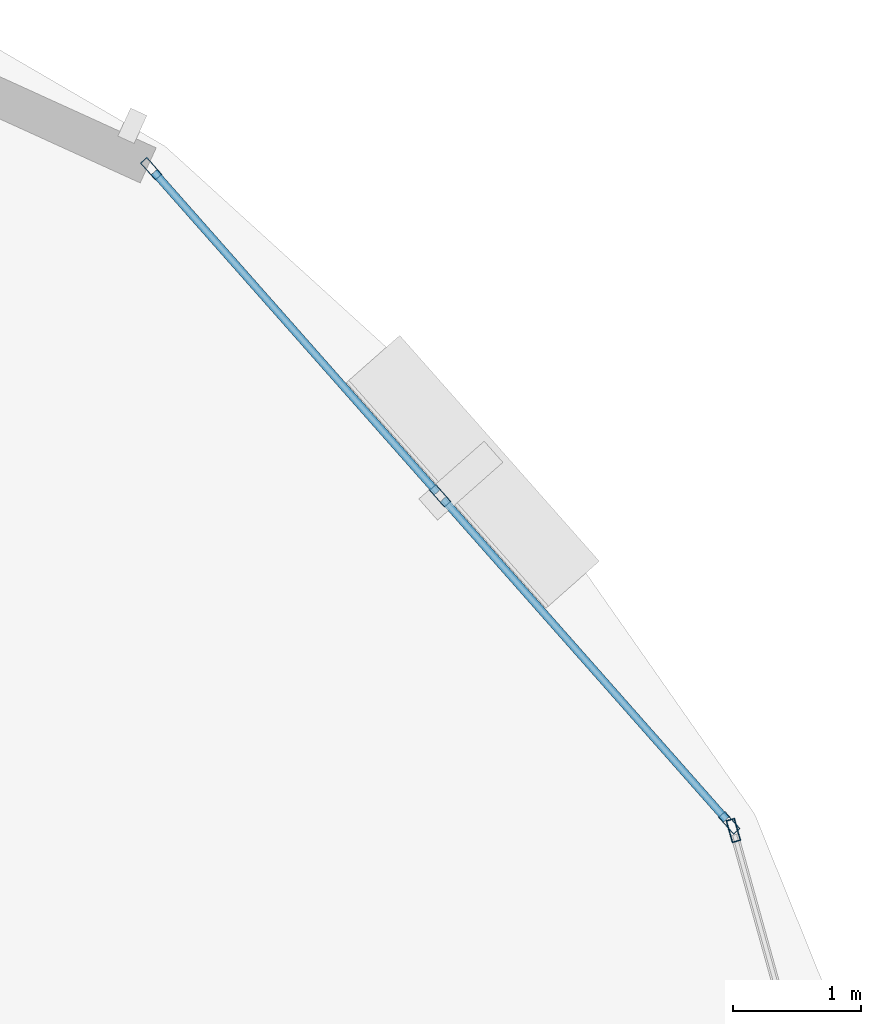
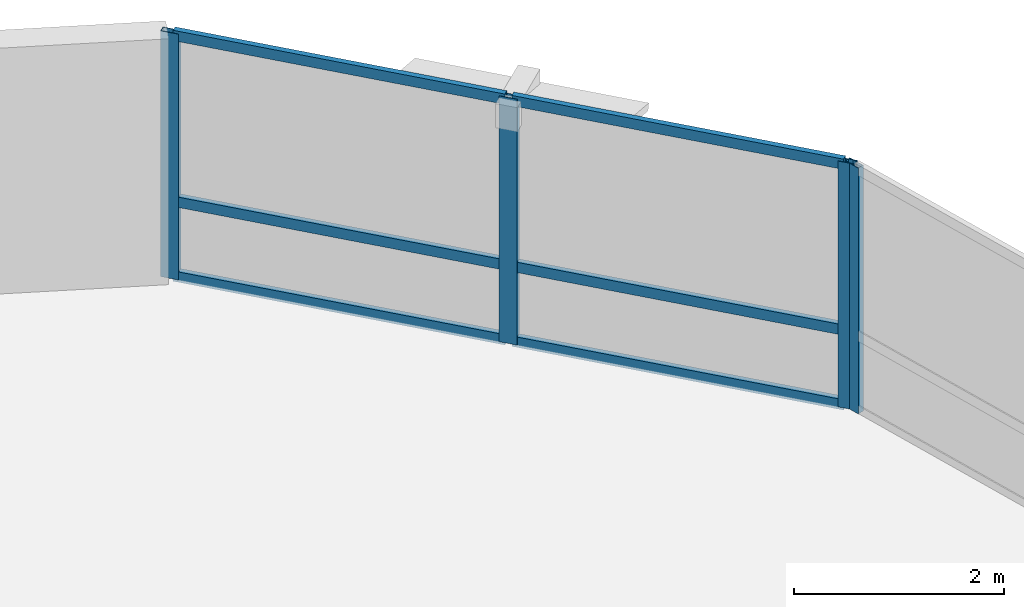
# One storey, part 6 of 12: 10 members, 2 elements without a shape of their own.
"""IFC4 building model written with IfcOpenShell, lengths in metres."""

from ifc_helpers import new_model, si_unit, direction, frame, origin, origin_2d, place, context, subcontext, project, spatial, hollow_rectangle, extrude, material, layer, layer_set, material_profile, profile_set, type_object, element, aggregate, save


model = new_model("IFC4")

# Units and contexts
model_context = context("Model", 3, precision=1e-05, world=origin(), true_north=direction((0.0, 1.0)))
body_context = subcontext(model_context, "Body", "Model", "MODEL_VIEW")
ifc_project = project(units=[si_unit("LENGTHUNIT", "METRE"), si_unit("AREAUNIT", "SQUARE_METRE"), si_unit("VOLUMEUNIT", "CUBIC_METRE"), si_unit("PLANEANGLEUNIT", "RADIAN"), si_unit("MASSUNIT", "GRAM", prefix="KILO"), si_unit("THERMODYNAMICTEMPERATUREUNIT", "KELVIN"), si_unit("POWERUNIT", "WATT")], contexts=[model_context])

# Site, building, storey
site_placement = place(None, origin())
site = spatial("IfcSite", under=ifc_project, at=site_placement, CompositionType="ELEMENT")
building_placement = place(site_placement, origin())
building = spatial("IfcBuilding", under=site, at=building_placement, Name="Ocrelia Relay Tower", CompositionType="ELEMENT")
storey_placement = place(building_placement, frame((0.0, 0.0, 153.800048828125)))
storey = spatial("IfcBuildingStorey", under=building, at=storey_placement, Name="L36", CompositionType="ELEMENT", Elevation=153.800048828125)

# Curtain wall, members
ifc_material_1 = material(Name="Aluminium and solar-control low-E glass", Category="aluminium")
ifc_layer = layer(ifc_material_1, 0.179931640625, Name="Aluminium and solar-control low-E glass")
ifc_layer_set = layer_set([ifc_layer], Name="Aluminium and solar-control low-E glass")
curtain_wall_type = type_object("IfcCurtainWallType", Name="CW-SYS-Z2-SWIT", PredefinedType="NOTDEFINED", material=ifc_layer_set)
curtain_wall_1_placement = place(storey_placement, origin())
curtain_wall_1 = element("IfcCurtainWall", 1, at=curtain_wall_1_placement, inside=storey, type_object=curtain_wall_type, Name="L36 Elliptical Tower Curtain Wall Bay 01", PredefinedType="NOTDEFINED")
ifc_material_2 = material(Name="Anodised bronze aluminium", Category="aluminium")
ifc_material_profile_1 = material_profile(ifc_material_2, hollow_rectangle(XDim=0.070068359375, YDim=0.179931640625, WallThickness=0.006103515625, at=origin_2d()), Name="CW-MUL-180x70")
ifc_profile_set_1 = profile_set([ifc_material_profile_1], Name="Anodised bronze aluminium")
member_type_1 = type_object("IfcMemberType", Name="CW-SYS-Z2-SWIT-MUL", PredefinedType="MULLION", material=ifc_profile_set_1)
member_1_placement = place(storey_placement, frame((56.474609375, 38.241455078125, 0.0), z_axis=(0.0, 0.0, 1.0), x_axis=(-0.74931029698, -0.662219056537, 0.0)))
member_1 = element("IfcMember", 2, at=member_1_placement, type_object=member_type_1, Name="CW-Z2 mullion 1", PredefinedType="MULLION", context=body_context, shape_type="SweptSolid", body=[
    extrude(hollow_rectangle(XDim=0.070068359375, YDim=0.179931640625, WallThickness=0.006103515625, at=origin_2d()), origin(), (0.0, 0.0, 1.0), 2.85986328125),
])
member_2_placement = place(storey_placement, frame((54.219970703125, 40.79248046875, 0.0), z_axis=(0.0, 0.0, 1.0), x_axis=(-0.74931029698, -0.662219056537, 0.0)))
member_2 = element("IfcMember", 3, at=member_2_placement, type_object=member_type_1, Name="CW-Z2 mullion 2", PredefinedType="MULLION", context=body_context, shape_type="SweptSolid", body=[
    extrude(hollow_rectangle(XDim=0.070068359375, YDim=0.179931640625, WallThickness=0.006103515625, at=origin_2d()), origin(), (0.0, 0.0, 1.0), 2.85986328125),
])
member_3_placement = place(storey_placement, frame((51.965576171875, 43.343505859375, 0.0), z_axis=(0.0, 0.0, 1.0), x_axis=(-0.74931029698, -0.662219056537, 0.0)))
member_3 = element("IfcMember", 4, at=member_3_placement, type_object=member_type_1, Name="CW-Z2 mullion 3", PredefinedType="MULLION", context=body_context, shape_type="SweptSolid", body=[
    extrude(hollow_rectangle(XDim=0.070068359375, YDim=0.179931640625, WallThickness=0.006103515625, at=origin_2d()), origin(), (0.0, 0.0, 1.0), 2.85986328125),
])

# Curtain wall, member
curtain_wall_2_placement = place(storey_placement, origin())
curtain_wall_2 = element("IfcCurtainWall", 5, at=curtain_wall_2_placement, inside=storey, type_object=curtain_wall_type, Name="L36 Elliptical Tower Curtain Wall Bay 18", PredefinedType="NOTDEFINED")
member_4_placement = place(storey_placement, frame((56.507080078125, 38.181640625, 0.0), z_axis=(0.0, 0.0, 1.0), x_axis=(-0.963487288488, -0.267754075452, 0.0)))
member_4 = element("IfcMember", 6, at=member_4_placement, type_object=member_type_1, Name="CW-Z2 mullion 3", PredefinedType="MULLION", context=body_context, shape_type="SweptSolid", body=[
    extrude(hollow_rectangle(XDim=0.070068359375, YDim=0.179931640625, WallThickness=0.006103515625, at=origin_2d()), origin(), (0.0, 0.0, 1.0), 2.85986328125),
])
aggregate(curtain_wall_2, [member_4])

# Member
ifc_material_profile_2 = material_profile(ifc_material_2, hollow_rectangle(XDim=0.06005859375, YDim=0.1201171875, WallThickness=0.0048828125, at=origin_2d()), Name="CW-TRN-120x60")
ifc_profile_set_2 = profile_set([ifc_material_profile_2], Name="Anodised bronze aluminium")
member_type_2 = type_object("IfcMemberType", Name="CW-SYS-Z2-SWIT-TRN", PredefinedType="USERDEFINED", material=ifc_profile_set_2)
member_5_placement = place(storey_placement, frame((56.451416015625, 38.267822265625, 0.030029296875), z_axis=(-0.662238905837, 0.749292754266, 0.0), x_axis=(-0.749292754266, -0.662238905837, 0.0)))
member_5 = element("IfcMember", 7, at=member_5_placement, type_object=member_type_2, Name="CW-Z2 transom 1.1", ObjectType="TRANSOM", PredefinedType="USERDEFINED", context=body_context, shape_type="SweptSolid", body=[
    extrude(hollow_rectangle(XDim=0.06005859375, YDim=0.1201171875, WallThickness=0.0048828125, at=origin_2d()), origin(), (0.0, 0.0, 1.0), 3.33447265625),
])

member_6_placement = place(storey_placement, frame((56.451416015625, 38.267822265625, 0.89990234375), z_axis=(-0.662238905837, 0.749292754266, 0.0), x_axis=(-0.749292754266, -0.662238905837, 0.0)))
member_6 = element("IfcMember", 8, at=member_6_placement, type_object=member_type_2, Name="CW-Z2 transom 1.2", ObjectType="TRANSOM", PredefinedType="USERDEFINED", context=body_context, shape_type="SweptSolid", body=[
    extrude(hollow_rectangle(XDim=0.06005859375, YDim=0.1201171875, WallThickness=0.0048828125, at=origin_2d()), origin(), (0.0, 0.0, 1.0), 3.33447265625),
])

member_7_placement = place(storey_placement, frame((56.451416015625, 38.267822265625, 2.829833984375), z_axis=(-0.662238905837, 0.749292754266, 0.0), x_axis=(-0.749292754266, -0.662238905837, 0.0)))
member_7 = element("IfcMember", 9, at=member_7_placement, type_object=member_type_2, Name="CW-Z2 transom 1.3", ObjectType="TRANSOM", PredefinedType="USERDEFINED", context=body_context, shape_type="SweptSolid", body=[
    extrude(hollow_rectangle(XDim=0.06005859375, YDim=0.1201171875, WallThickness=0.0048828125, at=origin_2d()), origin(), (0.0, 0.0, 1.0), 3.33447265625),
])

member_8_placement = place(storey_placement, frame((54.19677734375, 40.81884765625, 0.030029296875), z_axis=(-0.662197796472, 0.749329085481, 0.0), x_axis=(-0.749329085481, -0.662197796472, 0.0)))
member_8 = element("IfcMember", 10, at=member_8_placement, type_object=member_type_2, Name="CW-Z2 transom 2.1", ObjectType="TRANSOM", PredefinedType="USERDEFINED", context=body_context, shape_type="SweptSolid", body=[
    extrude(hollow_rectangle(XDim=0.06005859375, YDim=0.1201171875, WallThickness=0.0048828125, at=origin_2d()), origin(), (0.0, 0.0, 1.0), 3.33447265625),
])

member_9_placement = place(storey_placement, frame((54.19677734375, 40.81884765625, 0.89990234375), z_axis=(-0.662197796472, 0.749329085481, 0.0), x_axis=(-0.749329085481, -0.662197796472, 0.0)))
member_9 = element("IfcMember", 11, at=member_9_placement, type_object=member_type_2, Name="CW-Z2 transom 2.2", ObjectType="TRANSOM", PredefinedType="USERDEFINED", context=body_context, shape_type="SweptSolid", body=[
    extrude(hollow_rectangle(XDim=0.06005859375, YDim=0.1201171875, WallThickness=0.0048828125, at=origin_2d()), origin(), (0.0, 0.0, 1.0), 3.33447265625),
])

member_10_placement = place(storey_placement, frame((54.19677734375, 40.81884765625, 2.829833984375), z_axis=(-0.662197796472, 0.749329085481, 0.0), x_axis=(-0.749329085481, -0.662197796472, 0.0)))
member_10 = element("IfcMember", 12, at=member_10_placement, type_object=member_type_2, Name="CW-Z2 transom 2.3", ObjectType="TRANSOM", PredefinedType="USERDEFINED", context=body_context, shape_type="SweptSolid", body=[
    extrude(hollow_rectangle(XDim=0.06005859375, YDim=0.1201171875, WallThickness=0.0048828125, at=origin_2d()), origin(), (0.0, 0.0, 1.0), 3.33447265625),
])

aggregate(curtain_wall_1, [member_1, member_2, member_3, member_5, member_6, member_7, member_8, member_9, member_10])

save(model, "model.ifc")
